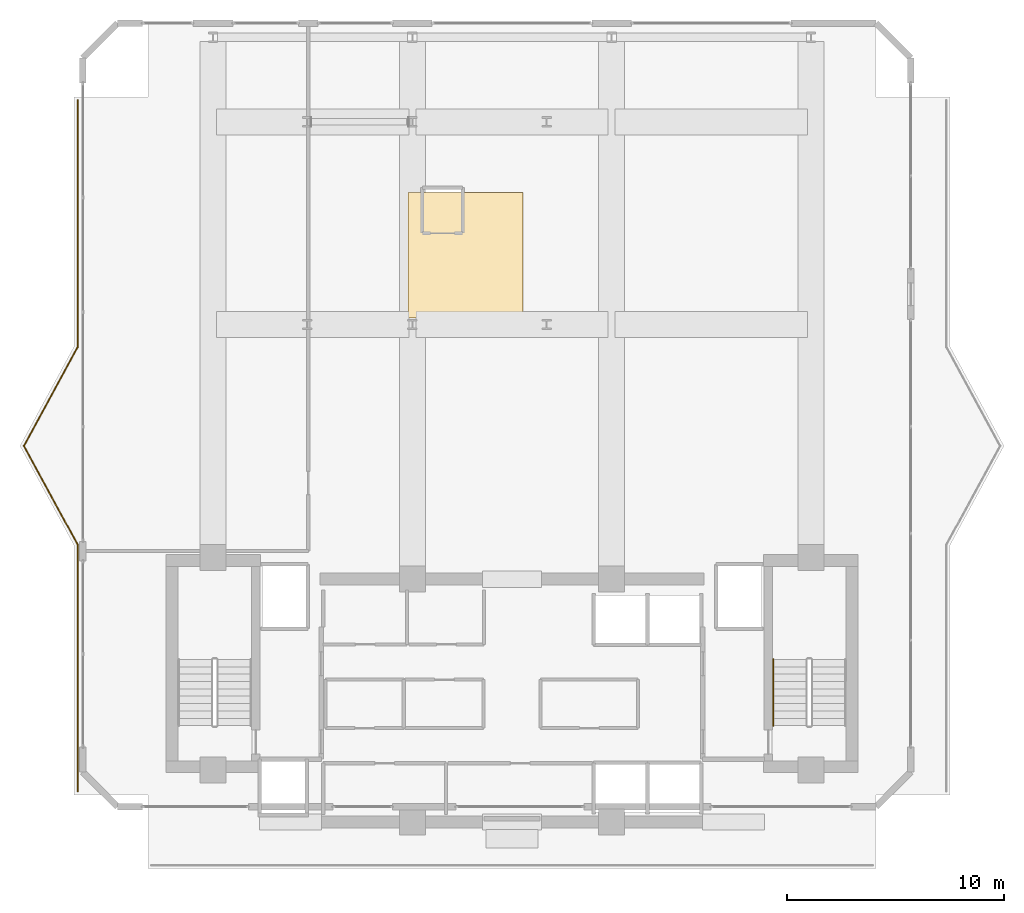
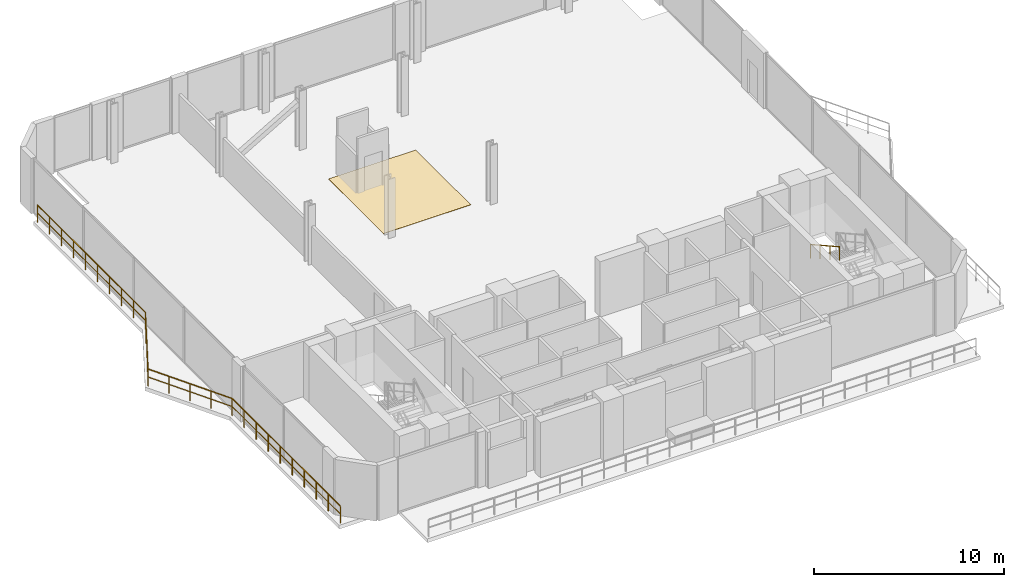
# One storey, part 26 of 27: 2 railings, 1 covering.
"""IFC4 building model written with IfcOpenShell, lengths in metres."""

from ifc_helpers import new_model, si_unit, direction, frame, origin, origin_2d, place, context, subcontext, project, spatial, polyline, rectangle, outline, extrude, material, layer, layer_set, type_object, element, save


model = new_model("IFC4")

# Units and contexts
model_context = context("Model", 3, precision=1e-05, world=origin(), true_north=direction((0.0, 1.0)))
body_context = subcontext(model_context, "Body", "Model", "MODEL_VIEW")
ifc_project = project(units=[si_unit("LENGTHUNIT", "METRE"), si_unit("AREAUNIT", "SQUARE_METRE"), si_unit("VOLUMEUNIT", "CUBIC_METRE"), si_unit("PLANEANGLEUNIT", "RADIAN"), si_unit("MASSUNIT", "GRAM", prefix="KILO")], contexts=[model_context])

# Site, building, storey
site_placement = place(None, origin())
site = spatial("IfcSite", under=ifc_project, at=site_placement, CompositionType="ELEMENT")
building_placement = place(site_placement, origin())
building = spatial("IfcBuilding", under=site, at=building_placement, Name="Zuhayl Quay Hotel", CompositionType="ELEMENT")
storey_placement = place(building_placement, frame((0.0, 0.0, 297.25)))
storey = spatial("IfcBuildingStorey", under=building, at=storey_placement, Name="Crown 1", CompositionType="ELEMENT", Elevation=297.25)

# Covering
ifc_material_1 = material(Name="EPDM Elastomeric Waterproofing Membrane")
ifc_layer = layer(ifc_material_1, 0.014892578125, Name="EPDM Elastomeric Waterproofing Membrane")
ifc_layer_set = layer_set([ifc_layer], Name="EPDM Elastomeric Waterproofing Membrane")
covering_type = type_object("IfcCoveringType", Name="CV_ROOF_MEMBRANE", PredefinedType="ROOFING", material=ifc_layer_set)
covering_placement = place(storey_placement, origin())
element("IfcCovering", 1, at=covering_placement, inside=storey, type_object=covering_type, Name="Crown 1 Elastomeric Roof Membrane", PredefinedType="ROOFING", context=body_context, shape_type="SweptSolid", body=[
    extrude(outline(polyline([(-4.800048828125, 25.39990234375), (0.5, 25.39990234375), (0.5, 31.199951171875), (-4.800048828125, 31.199951171875), (-4.800048828125, 25.39990234375)])), origin(), (0.0, 0.0, 1.0), 0.014892578125),
])

# Railings
ifc_material_2 = material(Name="Anodised Aluminium and Laminated Glass", Category="aluminium")
railing_type_1 = type_object("IfcRailingType", Name="RL_EXT_BAL_1100", PredefinedType="BALUSTRADE", material=ifc_material_2)
railing_1_placement = place(storey_placement, frame((-20.0400390625, 3.56005859375, 0.0)))
element("IfcRailing", 2, at=railing_1_placement, inside=storey, type_object=railing_type_1, Name="Crown 1 Balcony and Terrace Guard GR_CROWN_1_1", PredefinedType="BALUSTRADE", context=body_context, shape_type="SweptSolid", body=[
    extrude(rectangle(XDim=0.048095703125, YDim=0.048095703125, at=origin_2d()), frame((0.0, 0.0, 1.09619140625), z_axis=(0.0, 1.0, 0.0), x_axis=(-1.0, 0.0, 0.0)), (0.0, 0.0, 1.0), 11.380615234375),
    extrude(rectangle(XDim=0.0361328125, YDim=0.0361328125, at=origin_2d()), frame((0.0, 0.0, 0.58251953125), z_axis=(0.0, 1.0, 0.0), x_axis=(-1.0, 0.0, 0.0)), (0.0, 0.0, 1.0), 11.380615234375),
    extrude(rectangle(XDim=0.048095703125, YDim=0.048095703125, at=origin_2d()), frame((0.0, 11.380615234375, 1.09619140625), z_axis=(-0.477496739162, 0.878633520923, 0.0), x_axis=(-0.878633520923, -0.477496739162, 0.0)), (0.0, 0.0, 1.0), 5.189208984375),
    extrude(rectangle(XDim=0.0361328125, YDim=0.0361328125, at=origin_2d()), frame((0.0, 11.380615234375, 0.58251953125), z_axis=(-0.477496739162, 0.878633520923, 0.0), x_axis=(-0.878633520923, -0.477496739162, 0.0)), (0.0, 0.0, 1.0), 5.189208984375),
    extrude(rectangle(XDim=0.048095703125, YDim=0.048095703125, at=origin_2d()), frame((-2.477783203125, 15.93994140625, 1.09619140625), z_axis=(0.477496739162, 0.878633520923, 0.0), x_axis=(-0.878633520923, 0.477496739162, 0.0)), (0.0, 0.0, 1.0), 5.189208984375),
    extrude(rectangle(XDim=0.0361328125, YDim=0.0361328125, at=origin_2d()), frame((-2.477783203125, 15.93994140625, 0.58251953125), z_axis=(0.477496739162, 0.878633520923, 0.0), x_axis=(-0.878633520923, 0.477496739162, 0.0)), (0.0, 0.0, 1.0), 5.189208984375),
    extrude(rectangle(XDim=0.048095703125, YDim=0.048095703125, at=origin_2d()), frame((0.0, 20.499267578125, 1.09619140625), z_axis=(0.0, 1.0, 0.0), x_axis=(-1.0, 0.0, 0.0)), (0.0, 0.0, 1.0), 11.380615234375),
    extrude(rectangle(XDim=0.0361328125, YDim=0.0361328125, at=origin_2d()), frame((0.0, 20.499267578125, 0.58251953125), z_axis=(0.0, 1.0, 0.0), x_axis=(-1.0, 0.0, 0.0)), (0.0, 0.0, 1.0), 11.380615234375),
    extrude(rectangle(XDim=0.0419921875, YDim=0.0419921875, at=origin_2d()), origin(), (0.0, 0.0, 1.0), 1.072021484375),
    extrude(rectangle(XDim=0.0419921875, YDim=0.0419921875, at=origin_2d()), frame((0.0, 1.264404296875, 0.0)), (0.0, 0.0, 1.0), 1.072021484375),
    extrude(rectangle(XDim=0.0419921875, YDim=0.0419921875, at=origin_2d()), frame((0.0, 2.529052734375, 0.0)), (0.0, 0.0, 1.0), 1.072021484375),
    extrude(rectangle(XDim=0.0419921875, YDim=0.0419921875, at=origin_2d()), frame((0.0, 3.79345703125, 0.0)), (0.0, 0.0, 1.0), 1.072021484375),
    extrude(rectangle(XDim=0.0419921875, YDim=0.0419921875, at=origin_2d()), frame((0.0, 5.05810546875, 0.0)), (0.0, 0.0, 1.0), 1.072021484375),
    extrude(rectangle(XDim=0.0419921875, YDim=0.0419921875, at=origin_2d()), frame((0.0, 6.322509765625, 0.0)), (0.0, 0.0, 1.0), 1.072021484375),
    extrude(rectangle(XDim=0.0419921875, YDim=0.0419921875, at=origin_2d()), frame((0.0, 7.587158203125, 0.0)), (0.0, 0.0, 1.0), 1.072021484375),
    extrude(rectangle(XDim=0.0419921875, YDim=0.0419921875, at=origin_2d()), frame((0.0, 8.8515625, 0.0)), (0.0, 0.0, 1.0), 1.072021484375),
    extrude(rectangle(XDim=0.0419921875, YDim=0.0419921875, at=origin_2d()), frame((0.0, 10.1162109375, 0.0)), (0.0, 0.0, 1.0), 1.072021484375),
    extrude(rectangle(XDim=0.0419921875, YDim=0.0419921875, at=origin_2d()), frame((0.0, 11.380615234375, 0.0)), (0.0, 0.0, 1.0), 1.072021484375),
    extrude(rectangle(XDim=0.0419921875, YDim=0.0419921875, at=origin_2d()), frame((-0.619384765625, 12.5205078125, 0.0)), (0.0, 0.0, 1.0), 1.072021484375),
    extrude(rectangle(XDim=0.0419921875, YDim=0.0419921875, at=origin_2d()), frame((-1.23876953125, 13.66015625, 0.0)), (0.0, 0.0, 1.0), 1.072021484375),
    extrude(rectangle(XDim=0.0419921875, YDim=0.0419921875, at=origin_2d()), frame((-1.8583984375, 14.800048828125, 0.0)), (0.0, 0.0, 1.0), 1.072021484375),
    extrude(rectangle(XDim=0.0419921875, YDim=0.0419921875, at=origin_2d()), frame((-2.477783203125, 15.93994140625, 0.0)), (0.0, 0.0, 1.0), 1.072021484375),
    extrude(rectangle(XDim=0.0419921875, YDim=0.0419921875, at=origin_2d()), frame((-1.8583984375, 17.079833984375, 0.0)), (0.0, 0.0, 1.0), 1.072021484375),
    extrude(rectangle(XDim=0.0419921875, YDim=0.0419921875, at=origin_2d()), frame((-1.23876953125, 18.2197265625, 0.0)), (0.0, 0.0, 1.0), 1.072021484375),
    extrude(rectangle(XDim=0.0419921875, YDim=0.0419921875, at=origin_2d()), frame((-0.619384765625, 19.359375, 0.0)), (0.0, 0.0, 1.0), 1.072021484375),
    extrude(rectangle(XDim=0.0419921875, YDim=0.0419921875, at=origin_2d()), frame((0.0, 20.499267578125, 0.0)), (0.0, 0.0, 1.0), 1.072021484375),
    extrude(rectangle(XDim=0.0419921875, YDim=0.0419921875, at=origin_2d()), frame((0.0, 21.763671875, 0.0)), (0.0, 0.0, 1.0), 1.072021484375),
    extrude(rectangle(XDim=0.0419921875, YDim=0.0419921875, at=origin_2d()), frame((0.0, 23.0283203125, 0.0)), (0.0, 0.0, 1.0), 1.072021484375),
    extrude(rectangle(XDim=0.0419921875, YDim=0.0419921875, at=origin_2d()), frame((0.0, 24.292724609375, 0.0)), (0.0, 0.0, 1.0), 1.072021484375),
    extrude(rectangle(XDim=0.0419921875, YDim=0.0419921875, at=origin_2d()), frame((0.0, 25.557373046875, 0.0)), (0.0, 0.0, 1.0), 1.072021484375),
    extrude(rectangle(XDim=0.0419921875, YDim=0.0419921875, at=origin_2d()), frame((0.0, 26.82177734375, 0.0)), (0.0, 0.0, 1.0), 1.072021484375),
    extrude(rectangle(XDim=0.0419921875, YDim=0.0419921875, at=origin_2d()), frame((0.0, 28.08642578125, 0.0)), (0.0, 0.0, 1.0), 1.072021484375),
    extrude(rectangle(XDim=0.0419921875, YDim=0.0419921875, at=origin_2d()), frame((0.0, 29.350830078125, 0.0)), (0.0, 0.0, 1.0), 1.072021484375),
    extrude(rectangle(XDim=0.0419921875, YDim=0.0419921875, at=origin_2d()), frame((0.0, 30.615478515625, 0.0)), (0.0, 0.0, 1.0), 1.072021484375),
    extrude(rectangle(XDim=0.0419921875, YDim=0.0419921875, at=origin_2d()), frame((0.0, 31.8798828125, 0.0)), (0.0, 0.0, 1.0), 1.072021484375),
])
ifc_material_3 = material(Name="Steel ASTM A992 Grade 50", Category="steel")
railing_type_2 = type_object("IfcRailingType", Name="RL_HANDRAIL_920", PredefinedType="HANDRAIL", material=ifc_material_3)
railing_2_placement = place(storey_placement, frame((12.050048828125, 9.64990234375, 2.090087890625)))
element("IfcRailing", 3, at=railing_2_placement, inside=storey, type_object=railing_type_2, Name="Crown 1 ST2 stair handrail 2", PredefinedType="HANDRAIL", context=body_context, shape_type="SweptSolid", body=[
    extrude(rectangle(XDim=0.048095703125, YDim=0.048095703125, at=origin_2d()), frame((0.0, 0.0, 0.8759765625), z_axis=(0.0, -0.872935630794, 0.487835407172), x_axis=(1.0, 0.0, 0.0)), (0.0, 0.0, 1.0), 3.505126953125),
    extrude(rectangle(XDim=0.0419921875, YDim=0.0419921875, at=origin_2d()), origin(), (0.0, 0.0, 1.0), 0.851806640625),
    extrude(rectangle(XDim=0.0419921875, YDim=0.0419921875, at=origin_2d()), frame((0.0, -1.02001953125, 0.570068359375)), (0.0, 0.0, 1.0), 0.851806640625),
    extrude(rectangle(XDim=0.0419921875, YDim=0.0419921875, at=origin_2d()), frame((0.0, -2.039794921875, 1.139892578125)), (0.0, 0.0, 1.0), 0.851806640625),
    extrude(rectangle(XDim=0.0419921875, YDim=0.0419921875, at=origin_2d()), frame((0.0, -3.059814453125, 1.7099609375)), (0.0, 0.0, 1.0), 0.851806640625),
])

save(model, "model.ifc")
